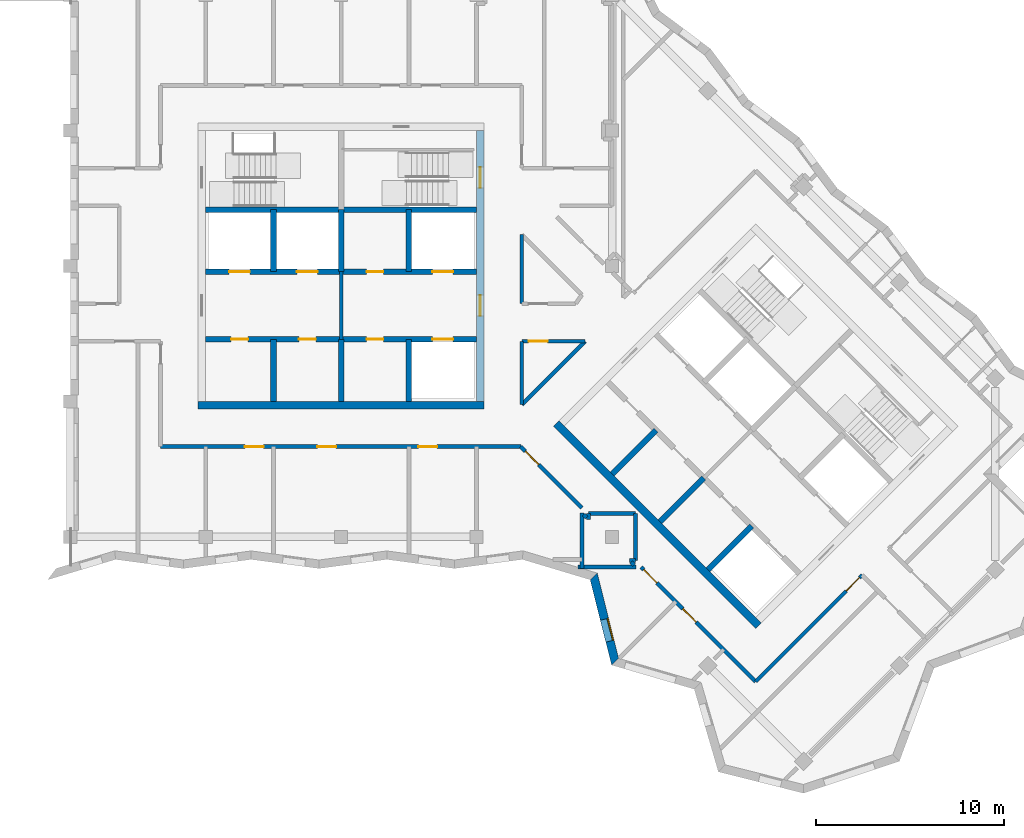
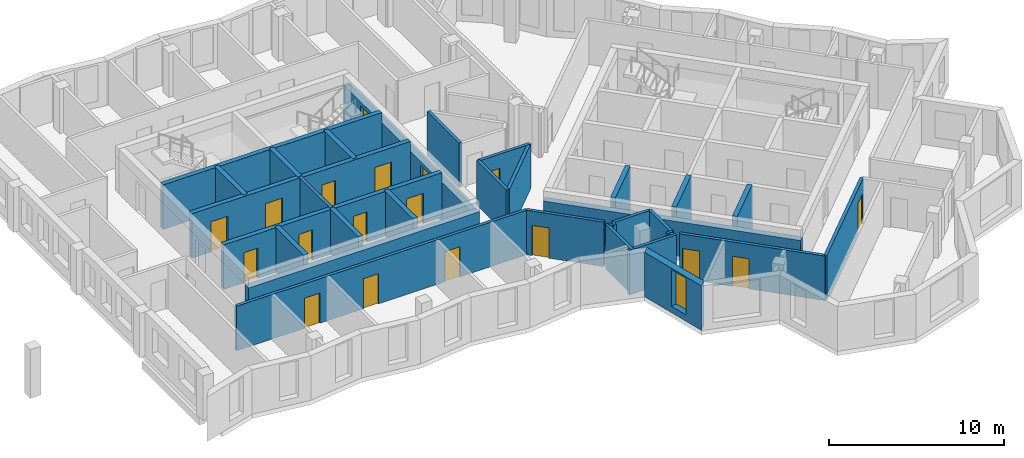
# One storey, part 3 of 13: 34 walls, 18 doors, 1 window, 19 openings.
"""IFC4 building model written with IfcOpenShell, lengths in metres."""

from ifc_helpers import new_model, si_unit, direction, frame, frame_2d, origin, place, context, subcontext, project, spatial, polyline, rectangle, outline, extrude, material, layer, layer_set, type_object, element, fill, save


model = new_model("IFC4")

# Units and contexts
model_context = context("Model", 3, precision=1e-05, world=origin(), true_north=direction((0.0, 1.0)))
body_context = subcontext(model_context, "Body", "Model", "MODEL_VIEW")
ifc_project = project(units=[si_unit("LENGTHUNIT", "METRE"), si_unit("AREAUNIT", "SQUARE_METRE"), si_unit("VOLUMEUNIT", "CUBIC_METRE"), si_unit("PLANEANGLEUNIT", "RADIAN"), si_unit("MASSUNIT", "GRAM", prefix="KILO")], contexts=[model_context])

# Site, building, storey
site_placement = place(None, origin())
site = spatial("IfcSite", under=ifc_project, at=site_placement, CompositionType="ELEMENT")
building_placement = place(site_placement, origin())
building = spatial("IfcBuilding", under=site, at=building_placement, Name="Windrow Commons", CompositionType="ELEMENT")
storey_placement = place(building_placement, frame((0.0, 0.0, 264.2)))
storey = spatial("IfcBuildingStorey", under=building, at=storey_placement, Name="L72", CompositionType="ELEMENT", Elevation=264.2)

# Wall, opening, window
ifc_material_1 = material(Name="Brick masonry, red clay brick", Category="masonry")
ifc_layer_1 = layer(ifc_material_1, 0.45)
ifc_layer_set_1 = layer_set([ifc_layer_1], Name="Brick facade wall 450")
wall_type_1 = type_object("IfcWallType", Name="Brick facade wall 450", PredefinedType="SOLIDWALL", material=ifc_layer_set_1)
wall_1_placement = place(storey_placement, frame((78.225, 41.0968, 0.0), z_axis=(0.0, 0.0, 1.0), x_axis=(0.2436835103, -0.9698548071, 0.0)))
wall_1 = element("IfcWall", 1, at=wall_1_placement, inside=storey, type_object=wall_type_1, Name="Brick facade wall L72 46", PredefinedType="SOLIDWALL", context=body_context, shape_type="SweptSolid", body=[
    extrude(outline(polyline([(0.1278, -0.225), (4.8019, -0.225), (4.5439, 0.225), (-0.1278, 0.225), (0.1278, -0.225)])), origin(), (0.0, 0.0, 1.0), 3.1),
])
opening_1_placement = place(wall_1_placement, frame((2.3436, 0.0, 0.45)))
opening_1 = element("IfcOpeningElement", 2, at=opening_1_placement, cuts=wall_1, Name="Opening W7F", PredefinedType="OPENING", context=body_context, shape_type="SweptSolid", body=[
    extrude(rectangle(XDim=1.2, YDim=2.55, at=frame_2d((0.6, 1.275))), frame((0.0, 0.235, 0.0), z_axis=(0.0, -1.0, 0.0), x_axis=(1.0, 0.0, 0.0)), (0.0, 0.0, 1.0), 0.47),
])
ifc_material_2 = material(Name="Clear float glass in anodised aluminium frame", Category="aluminium")
window_type = type_object("IfcWindowType", Name="Window W7 notch 1200x2550", PartitioningType="SINGLE_PANEL", PredefinedType="WINDOW", material=ifc_material_2)
window_placement = place(opening_1_placement, origin())
window = element("IfcWindow", 3, at=window_placement, inside=storey, type_object=window_type, Name="Window L72 46.1", OverallHeight=2.55, OverallWidth=1.2, PartitioningType="SINGLE_PANEL", PredefinedType="WINDOW", context=body_context, shape_type="SweptSolid", body=[
    extrude(rectangle(XDim=1.2, YDim=2.55, at=frame_2d((0.6, 1.275))), frame((0.0, 0.205, 0.0), z_axis=(0.0, -1.0, 0.0), x_axis=(1.0, 0.0, 0.0)), (0.0, 0.0, 1.0), 0.06),
])
fill(opening_1, window)

# Wall
ifc_material_3 = material(Name="Blockwork partition", Category="masonry")
ifc_layer_2 = layer(ifc_material_3, 0.2)
ifc_layer_set_2 = layer_set([ifc_layer_2], Name="Fire lobby partition 200")
wall_type_2 = type_object("IfcWallType", Name="Fire lobby partition 200", PredefinedType="PARTITIONING", material=ifc_layer_set_2)
wall_2_placement = place(storey_placement, frame((64.8, 53.7, 0.0), z_axis=(0.0, 0.0, 1.0), x_axis=(0.0, 1.0, 0.0)))
element("IfcWall", 4, at=wall_2_placement, inside=storey, type_object=wall_type_2, Name="W-core-lobby-A-L72", PredefinedType="PARTITIONING", context=body_context, shape_type="SweptSolid", body=[
    extrude(rectangle(XDim=3.6, YDim=0.2, at=frame_2d((1.8, 0.0))), origin(), (0.0, 0.0, 1.0), 3.1),
])

# Wall, openings, doors
ifc_material_4 = material(Name="Blockwork partition", Category="masonry")
ifc_layer_3 = layer(ifc_material_4, 0.2)
ifc_layer_set_3 = layer_set([ifc_layer_3], Name="IW-CORRIDOR-200")
wall_type_3 = type_object("IfcWallType", Name="IW-CORRIDOR-200", PredefinedType="PARTITIONING", material=ifc_layer_set_3)
wall_3_placement = place(storey_placement, frame((55.2, 48.0, 0.0), z_axis=(0.0, 0.0, 1.0), x_axis=(1.0, 0.0, 0.0)))
wall_3 = element("IfcWall", 5, at=wall_3_placement, inside=storey, type_object=wall_type_3, Name="W-L72-W001", PredefinedType="PARTITIONING", context=body_context, shape_type="SweptSolid", body=[
    extrude(rectangle(XDim=19.15, YDim=0.2, at=frame_2d((9.575, 0.0))), origin(), (0.0, 0.0, 1.0), 3.1),
])
opening_2_placement = place(wall_3_placement, frame((4.475, 0.0, 0.0)))
opening_2 = element("IfcOpeningElement", 6, at=opening_2_placement, cuts=wall_3, Name="Opening D310F", PredefinedType="OPENING", context=body_context, shape_type="SweptSolid", body=[
    extrude(rectangle(XDim=1.0, YDim=2.1, at=frame_2d((0.5, 1.05))), frame((0.0, 0.11, 0.0), z_axis=(0.0, -1.0, 0.0), x_axis=(1.0, 0.0, 0.0)), (0.0, 0.0, 1.0), 0.22),
])
opening_3_placement = place(wall_3_placement, frame((8.3375, 0.0, 0.0)))
opening_3 = element("IfcOpeningElement", 7, at=opening_3_placement, cuts=wall_3, Name="Opening D310F", PredefinedType="OPENING", context=body_context, shape_type="SweptSolid", body=[
    extrude(rectangle(XDim=1.0, YDim=2.1, at=frame_2d((0.5, 1.05))), frame((0.0, 0.11, 0.0), z_axis=(0.0, -1.0, 0.0), x_axis=(1.0, 0.0, 0.0)), (0.0, 0.0, 1.0), 0.22),
])
opening_4_placement = place(wall_3_placement, frame((13.7075, 0.0, 0.0)))
opening_4 = element("IfcOpeningElement", 8, at=opening_4_placement, cuts=wall_3, Name="Opening D310F", PredefinedType="OPENING", context=body_context, shape_type="SweptSolid", body=[
    extrude(rectangle(XDim=1.0, YDim=2.1, at=frame_2d((0.5, 1.05))), frame((0.0, 0.11, 0.0), z_axis=(0.0, -1.0, 0.0), x_axis=(1.0, 0.0, 0.0)), (0.0, 0.0, 1.0), 0.22),
])
ifc_material_5 = material(Name="Timber door leaf", Category="wood")
door_type_1 = type_object("IfcDoorType", Name="DT-AMENITY-1000", OperationType="SINGLE_SWING_LEFT", PredefinedType="DOOR", material=ifc_material_5)
door_1_placement = place(opening_2_placement, origin())
door_1 = element("IfcDoor", 9, at=door_1_placement, inside=storey, type_object=door_type_1, Name="D-L72-D002", OperationType="SINGLE_SWING_LEFT", OverallHeight=2.1, OverallWidth=1.0, PredefinedType="DOOR", context=body_context, shape_type="SweptSolid", body=[
    extrude(rectangle(XDim=1.0, YDim=2.1, at=frame_2d((0.5, 1.05))), frame((0.0, 0.025, 0.0), z_axis=(0.0, -1.0, 0.0), x_axis=(1.0, 0.0, 0.0)), (0.0, 0.0, 1.0), 0.05),
])
fill(opening_2, door_1)
door_2_placement = place(opening_3_placement, origin())
door_2 = element("IfcDoor", 10, at=door_2_placement, inside=storey, type_object=door_type_1, Name="D-L72-D003", OperationType="SINGLE_SWING_RIGHT", OverallHeight=2.1, OverallWidth=1.0, PredefinedType="DOOR", context=body_context, shape_type="SweptSolid", body=[
    extrude(rectangle(XDim=1.0, YDim=2.1, at=frame_2d((0.5, 1.05))), frame((0.0, 0.025, 0.0), z_axis=(0.0, -1.0, 0.0), x_axis=(1.0, 0.0, 0.0)), (0.0, 0.0, 1.0), 0.05),
])
fill(opening_3, door_2)
door_3_placement = place(opening_4_placement, origin())
door_3 = element("IfcDoor", 11, at=door_3_placement, inside=storey, type_object=door_type_1, Name="D-L72-D004", OperationType="SINGLE_SWING_RIGHT", OverallHeight=2.1, OverallWidth=1.0, PredefinedType="DOOR", context=body_context, shape_type="SweptSolid", body=[
    extrude(rectangle(XDim=1.0, YDim=2.1, at=frame_2d((0.5, 1.05))), frame((0.0, 0.025, 0.0), z_axis=(0.0, -1.0, 0.0), x_axis=(1.0, 0.0, 0.0)), (0.0, 0.0, 1.0), 0.05),
])
fill(opening_4, door_3)

wall_4_placement = place(storey_placement, frame((80.7468, 41.5968, 0.0), z_axis=(0.0, 0.0, 1.0), x_axis=(0.7071067812, -0.7071067812, 0.0)))
wall_4 = element("IfcWall", 12, at=wall_4_placement, inside=storey, type_object=wall_type_3, Name="W-L72-W010", PredefinedType="PARTITIONING", context=body_context, shape_type="SweptSolid", body=[
    extrude(rectangle(XDim=8.6069, YDim=0.2, at=frame_2d((4.3034, 0.0))), origin(), (0.0, 0.0, 1.0), 3.1),
])
opening_5_placement = place(wall_4_placement, frame((0.1948, 0.0, 0.0)))
opening_5 = element("IfcOpeningElement", 13, at=opening_5_placement, cuts=wall_4, Name="Opening D310F", PredefinedType="OPENING", context=body_context, shape_type="SweptSolid", body=[
    extrude(rectangle(XDim=1.0, YDim=2.1, at=frame_2d((0.5, 1.05))), frame((0.0, 0.11, 0.0), z_axis=(0.0, -1.0, 0.0), x_axis=(1.0, 0.0, 0.0)), (0.0, 0.0, 1.0), 0.22),
])
opening_6_placement = place(wall_4_placement, frame((3.1329, 0.0, 0.0)))
opening_6 = element("IfcOpeningElement", 14, at=opening_6_placement, cuts=wall_4, Name="Opening D410F", PredefinedType="OPENING", context=body_context, shape_type="SweptSolid", body=[
    extrude(rectangle(XDim=1.0, YDim=2.1, at=frame_2d((0.5, 1.05))), frame((0.0, 0.11, 0.0), z_axis=(0.0, -1.0, 0.0), x_axis=(1.0, 0.0, 0.0)), (0.0, 0.0, 1.0), 0.22),
])
door_4_placement = place(opening_5_placement, origin())
door_4 = element("IfcDoor", 15, at=door_4_placement, inside=storey, type_object=door_type_1, Name="D-L72-D024", OperationType="SINGLE_SWING_LEFT", OverallHeight=2.1, OverallWidth=1.0, PredefinedType="DOOR", context=body_context, shape_type="SweptSolid", body=[
    extrude(rectangle(XDim=1.0, YDim=2.1, at=frame_2d((0.5, 1.05))), frame((0.0, 0.025, 0.0), z_axis=(0.0, -1.0, 0.0), x_axis=(1.0, 0.0, 0.0)), (0.0, 0.0, 1.0), 0.05),
])
fill(opening_5, door_4)
ifc_material_6 = material(Name="Timber door leaf", Category="wood")
door_type_2 = type_object("IfcDoorType", Name="DT-SERVICE-1000", OperationType="SINGLE_SWING_LEFT", PredefinedType="DOOR", material=ifc_material_6)
door_5_placement = place(opening_6_placement, origin())
door_5 = element("IfcDoor", 16, at=door_5_placement, inside=storey, type_object=door_type_2, Name="D-L72-D025", OperationType="SINGLE_SWING_LEFT", OverallHeight=2.1, OverallWidth=1.0, PredefinedType="DOOR", context=body_context, shape_type="SweptSolid", body=[
    extrude(rectangle(XDim=1.0, YDim=2.1, at=frame_2d((0.5, 1.05))), frame((0.0, 0.025, 0.0), z_axis=(0.0, -1.0, 0.0), x_axis=(1.0, 0.0, 0.0)), (0.0, 0.0, 1.0), 0.05),
])
fill(opening_6, door_5)

# Wall, opening, door
wall_5_placement = place(storey_placement, frame((86.8359, 35.5141, 0.0), z_axis=(0.0, 0.0, 1.0), x_axis=(0.7071067812, 0.7071067812, 0.0)))
wall_5 = element("IfcWall", 17, at=wall_5_placement, inside=storey, type_object=wall_type_3, Name="W-L72-W011", PredefinedType="PARTITIONING", context=body_context, shape_type="SweptSolid", body=[
    extrude(rectangle(XDim=7.9988, YDim=0.2, at=frame_2d((3.9994, 0.0))), origin(), (0.0, 0.0, 1.0), 3.1),
])
opening_7_placement = place(wall_5_placement, frame((6.8067, 0.0, 0.0)))
opening_7 = element("IfcOpeningElement", 18, at=opening_7_placement, cuts=wall_5, Name="Opening D310F", PredefinedType="OPENING", context=body_context, shape_type="SweptSolid", body=[
    extrude(rectangle(XDim=1.0, YDim=2.1, at=frame_2d((0.5, 1.05))), frame((0.0, 0.11, 0.0), z_axis=(0.0, -1.0, 0.0), x_axis=(1.0, 0.0, 0.0)), (0.0, 0.0, 1.0), 0.22),
])
door_6_placement = place(opening_7_placement, origin())
door_6 = element("IfcDoor", 19, at=door_6_placement, inside=storey, type_object=door_type_1, Name="D-L72-D026", OperationType="SINGLE_SWING_RIGHT", OverallHeight=2.1, OverallWidth=1.0, PredefinedType="DOOR", context=body_context, shape_type="SweptSolid", body=[
    extrude(rectangle(XDim=1.0, YDim=2.1, at=frame_2d((0.5, 1.05))), frame((0.0, 0.025, 0.0), z_axis=(0.0, -1.0, 0.0), x_axis=(1.0, 0.0, 0.0)), (0.0, 0.0, 1.0), 0.05),
])
fill(opening_7, door_6)

# Wall
wall_6_placement = place(storey_placement, frame((74.4015, 50.2325, 0.0), z_axis=(0.0, 0.0, 1.0), x_axis=(0.7071067812, 0.7071067812, 0.0)))
element("IfcWall", 20, at=wall_6_placement, inside=storey, type_object=wall_type_3, Name="W-L72-W026", PredefinedType="PARTITIONING", context=body_context, shape_type="SweptSolid", body=[
    extrude(rectangle(XDim=4.7602, YDim=0.2, at=frame_2d((2.3801, 0.0))), origin(), (0.0, 0.0, 1.0), 3.1),
])

# Wall, opening, door
wall_7_placement = place(storey_placement, frame((74.3468, 47.9968, 0.0), z_axis=(0.0, 0.0, 1.0), x_axis=(0.7071067812, -0.7071067812, 0.0)))
wall_7 = element("IfcWall", 21, at=wall_7_placement, inside=storey, type_object=wall_type_3, Name="W-L72-W027", PredefinedType="PARTITIONING", context=body_context, shape_type="SweptSolid", body=[
    extrude(rectangle(XDim=4.5962, YDim=0.2, at=frame_2d((2.2981, 0.0))), origin(), (0.0, 0.0, 1.0), 3.1),
])
opening_8_placement = place(wall_7_placement, frame((0.3498, 0.0, 0.0)))
opening_8 = element("IfcOpeningElement", 22, at=opening_8_placement, cuts=wall_7, Name="Opening D310F", PredefinedType="OPENING", context=body_context, shape_type="SweptSolid", body=[
    extrude(rectangle(XDim=1.0, YDim=2.1, at=frame_2d((0.5, 1.05))), frame((0.0, 0.11, 0.0), z_axis=(0.0, -1.0, 0.0), x_axis=(1.0, 0.0, 0.0)), (0.0, 0.0, 1.0), 0.22),
])
door_7_placement = place(opening_8_placement, origin())
door_7 = element("IfcDoor", 23, at=door_7_placement, inside=storey, type_object=door_type_1, Name="D-L72-D005", OperationType="SINGLE_SWING_LEFT", OverallHeight=2.1, OverallWidth=1.0, PredefinedType="DOOR", context=body_context, shape_type="SweptSolid", body=[
    extrude(rectangle(XDim=1.0, YDim=2.1, at=frame_2d((0.5, 1.05))), frame((0.0, 0.025, 0.0), z_axis=(0.0, -1.0, 0.0), x_axis=(1.0, 0.0, 0.0)), (0.0, 0.0, 1.0), 0.05),
])
fill(opening_8, door_7)

# Walls
wall_8_placement = place(storey_placement, frame((74.4, 55.602, 0.0), z_axis=(0.0, 0.0, 1.0), x_axis=(0.0, 1.0, 0.0)))
element("IfcWall", 24, at=wall_8_placement, inside=storey, type_object=wall_type_3, Name="W-L72-W039", PredefinedType="PARTITIONING", context=body_context, shape_type="SweptSolid", body=[
    extrude(rectangle(XDim=3.66, YDim=0.2, at=frame_2d((1.83, 0.0))), origin(), (0.0, 0.0, 1.0), 3.1),
])
wall_9_placement = place(storey_placement, frame((74.4, 50.232, 0.0), z_axis=(0.0, 0.0, 1.0), x_axis=(0.0, 1.0, 0.0)))
element("IfcWall", 25, at=wall_9_placement, inside=storey, type_object=wall_type_3, Name="W-L72-W046", PredefinedType="PARTITIONING", context=body_context, shape_type="SweptSolid", body=[
    extrude(rectangle(XDim=3.368, YDim=0.2, at=frame_2d((1.684, 0.0))), origin(), (0.0, 0.0, 1.0), 3.1),
])

# Wall, opening, door
wall_10_placement = place(storey_placement, frame((74.402, 53.6, 0.0), z_axis=(0.0, 0.0, 1.0), x_axis=(1.0, 0.0, 0.0)))
wall_10 = element("IfcWall", 26, at=wall_10_placement, inside=storey, type_object=wall_type_3, Name="W-L72-W047", PredefinedType="PARTITIONING", context=body_context, shape_type="SweptSolid", body=[
    extrude(rectangle(XDim=3.366, YDim=0.2, at=frame_2d((1.683, 0.0))), origin(), (0.0, 0.0, 1.0), 3.1),
])
opening_9_placement = place(wall_10_placement, frame((0.3672, 0.0, 0.0)))
opening_9 = element("IfcOpeningElement", 27, at=opening_9_placement, cuts=wall_10, Name="Opening D310F", PredefinedType="OPENING", context=body_context, shape_type="SweptSolid", body=[
    extrude(rectangle(XDim=1.0, YDim=2.1, at=frame_2d((0.5, 1.05))), frame((0.0, 0.11, 0.0), z_axis=(0.0, -1.0, 0.0), x_axis=(1.0, 0.0, 0.0)), (0.0, 0.0, 1.0), 0.22),
])
door_8_placement = place(opening_9_placement, origin())
door_8 = element("IfcDoor", 28, at=door_8_placement, inside=storey, type_object=door_type_1, Name="D-L72-D006", OperationType="SINGLE_SWING_RIGHT", OverallHeight=2.1, OverallWidth=1.0, PredefinedType="DOOR", context=body_context, shape_type="SweptSolid", body=[
    extrude(rectangle(XDim=1.0, YDim=2.1, at=frame_2d((0.5, 1.05))), frame((0.0, 0.025, 0.0), z_axis=(0.0, -1.0, 0.0), x_axis=(1.0, 0.0, 0.0)), (0.0, 0.0, 1.0), 0.05),
])
fill(opening_9, door_8)

# Walls
for number, where, z_axis, x_axis, name in (
    (29, (80.45, 41.952, 0.0), (0.0, 0.0, 1.0), (0.0, 1.0, 0.0), "W-L72-W054"),
    (30, (77.952, 44.45, 0.0), (0.0, 0.0, 1.0), (1.0, 0.0, 0.0), "W-L72-W055"),
):
    element("IfcWall", number, at=place(storey_placement, frame(where, z_axis=z_axis, x_axis=x_axis)), inside=storey, type_object=wall_type_3, Name=name, PredefinedType="PARTITIONING", context=body_context, shape_type="SweptSolid", body=[
        extrude(rectangle(XDim=2.498, YDim=0.2, at=frame_2d((1.249, 0.0))), origin(), (0.0, 0.0, 1.0), 3.1),
    ])
for number, where, z_axis, x_axis, name in (
    (31, (80.2205, 41.8545, 0.0), (0.0, 0.0, 1.0), (0.7068844555, -0.707329037, 0.0), "W-L72-W097"),
    (32, (77.6954, 44.3795, 0.0), (0.0, 0.0, 1.0), (0.707329037, -0.7068844555, 0.0), "W-L72-W098"),
):
    element("IfcWall", number, at=place(storey_placement, frame(where, z_axis=z_axis, x_axis=x_axis)), inside=storey, type_object=wall_type_3, Name=name, PredefinedType="PARTITIONING", context=body_context, shape_type="SweptSolid", body=[
        extrude(rectangle(XDim=0.2249, YDim=0.2, at=frame_2d((0.1124, 0.0))), origin(), (0.0, 0.0, 1.0), 3.1),
    ])
for number, where, z_axis, x_axis, name in (
    (33, (80.118, 41.95, 0.0), (0.0, 0.0, 1.0), (1.0, 0.0, 0.0), "W-L72-W111"),
    (34, (77.95, 44.118, 0.0), (0.0, 0.0, 1.0), (0.0, 1.0, 0.0), "W-L72-W112"),
):
    element("IfcWall", number, at=place(storey_placement, frame(where, z_axis=z_axis, x_axis=x_axis)), inside=storey, type_object=wall_type_3, Name=name, PredefinedType="PARTITIONING", context=body_context, shape_type="SweptSolid", body=[
        extrude(rectangle(XDim=0.332, YDim=0.2, at=frame_2d((0.166, 0.0))), origin(), (0.0, 0.0, 1.0), 3.1),
    ])
ifc_material_7 = material(Name="Blockwork partition", Category="masonry")
ifc_layer_4 = layer(ifc_material_7, 0.2)
ifc_layer_set_4 = layer_set([ifc_layer_4], Name="IW-PARTY-200")
wall_type_4 = type_object("IfcWallType", Name="IW-PARTY-200", PredefinedType="PARTITIONING", material=ifc_layer_set_4)
wall_11_placement = place(storey_placement, frame((77.3811, 41.6, 0.0), z_axis=(0.0, 0.0, 1.0), x_axis=(1.0, 0.0, 0.0)))
element("IfcWall", 35, at=wall_11_placement, inside=storey, type_object=wall_type_4, Name="W-L72-W048", PredefinedType="PARTITIONING", context=body_context, shape_type="SweptSolid", body=[
    extrude(rectangle(XDim=3.0869, YDim=0.2, at=frame_2d((1.5434, 0.0))), origin(), (0.0, 0.0, 1.0), 3.1),
])
wall_12_placement = place(storey_placement, frame((77.6, 41.5193, 0.0), z_axis=(0.0, 0.0, 1.0), x_axis=(0.0, 1.0, 0.0)))
element("IfcWall", 36, at=wall_12_placement, inside=storey, type_object=wall_type_4, Name="W-L72-W049", PredefinedType="PARTITIONING", context=body_context, shape_type="SweptSolid", body=[
    extrude(rectangle(XDim=2.9487, YDim=0.2, at=frame_2d((1.4744, 0.0))), origin(), (0.0, 0.0, 1.0), 3.1),
])
ifc_material_8 = material(Name="Concrete C40/50", Category="concrete")
ifc_layer_5 = layer(ifc_material_8, 0.4)
ifc_layer_set_5 = layer_set([ifc_layer_5], Name="RC CORE WALL 400 C40/50")
wall_type_5 = type_object("IfcWallType", Name="RC CORE WALL 400 C40/50", PredefinedType="SHEAR", material=ifc_layer_set_5)
wall_13_placement = place(storey_placement, frame((57.2, 50.2, -0.3), z_axis=(0.0, 0.0, 1.0), x_axis=(1.0, 0.0, 0.0)))
element("IfcWall", 37, at=wall_13_placement, inside=storey, type_object=wall_type_5, Name="Core A wall outer-S", PredefinedType="SHEAR", context=body_context, shape_type="SweptSolid", body=[
    extrude(rectangle(XDim=15.2, YDim=0.4, at=frame_2d((7.6, 0.0))), origin(), (0.0, 0.0, 1.0), 2.7),
])

# Wall, openings, doors
wall_14_placement = place(storey_placement, frame((72.2, 50.4, -0.3), z_axis=(0.0, 0.0, 1.0), x_axis=(0.0, 1.0, 0.0)))
wall_14 = element("IfcWall", 38, at=wall_14_placement, inside=storey, type_object=wall_type_5, Name="Core A wall outer-E", PredefinedType="SHEAR", context=body_context, shape_type="SweptSolid", body=[
    extrude(rectangle(XDim=14.4, YDim=0.4, at=frame_2d((7.2, 0.0))), origin(), (0.0, 0.0, 1.0), 2.7),
])
opening_10_placement = place(wall_14_placement, frame((4.55, 0.0, 0.3)))
opening_10 = element("IfcOpeningElement", 39, at=opening_10_placement, cuts=wall_14, Name="Opening D6", PredefinedType="OPENING", context=body_context, shape_type="SweptSolid", body=[
    extrude(rectangle(XDim=1.1, YDim=2.1, at=frame_2d((0.55, 1.05))), frame((0.0, 0.21, 0.0), z_axis=(0.0, -1.0, 0.0), x_axis=(1.0, 0.0, 0.0)), (0.0, 0.0, 1.0), 0.42),
])
opening_11_placement = place(wall_14_placement, frame((11.35, 0.0, 0.3)))
opening_11 = element("IfcOpeningElement", 40, at=opening_11_placement, cuts=wall_14, Name="Opening D7", PredefinedType="OPENING", context=body_context, shape_type="SweptSolid", body=[
    extrude(rectangle(XDim=1.1, YDim=2.1, at=frame_2d((0.55, 1.05))), frame((0.0, 0.21, 0.0), z_axis=(0.0, -1.0, 0.0), x_axis=(1.0, 0.0, 0.0)), (0.0, 0.0, 1.0), 0.42),
])
ifc_material_9 = material(Name="Steel fire door leaf", Category="steel")
door_type_3 = type_object("IfcDoorType", Name="Core lobby door 1100", OperationType="SINGLE_SWING_LEFT", PredefinedType="DOOR", material=ifc_material_9)
door_9_placement = place(opening_10_placement, origin())
door_9 = element("IfcDoor", 41, at=door_9_placement, inside=storey, type_object=door_type_3, Name="Lift lobby door", OperationType="DOUBLE_DOOR_SINGLE_SWING", OverallHeight=2.1, OverallWidth=1.1, PredefinedType="DOOR", context=body_context, shape_type="SweptSolid", body=[
    extrude(rectangle(XDim=1.1, YDim=2.1, at=frame_2d((0.55, 1.05))), frame((0.0, 0.025, 0.0), z_axis=(0.0, -1.0, 0.0), x_axis=(1.0, 0.0, 0.0)), (0.0, 0.0, 1.0), 0.05),
])
fill(opening_10, door_9)
ifc_material_10 = material(Name="Steel fire door leaf", Category="steel")
door_type_4 = type_object("IfcDoorType", Name="Stair door 1100", OperationType="SINGLE_SWING_LEFT", PredefinedType="DOOR", material=ifc_material_10)
door_10_placement = place(opening_11_placement, origin())
door_10 = element("IfcDoor", 42, at=door_10_placement, inside=storey, type_object=door_type_4, Name="Stair door", OperationType="SINGLE_SWING_RIGHT", OverallHeight=2.1, OverallWidth=1.1, PredefinedType="DOOR", context=body_context, shape_type="SweptSolid", body=[
    extrude(rectangle(XDim=1.1, YDim=2.1, at=frame_2d((0.55, 1.05))), frame((0.0, 0.025, 0.0), z_axis=(0.0, -1.0, 0.0), x_axis=(1.0, 0.0, 0.0)), (0.0, 0.0, 1.0), 0.05),
])
fill(opening_11, door_10)

# Walls
wall_15_placement = place(storey_placement, frame((76.2302, 49.2312, -0.3), z_axis=(0.0, 0.0, 1.0), x_axis=(0.7071034917, -0.7071100706, 0.0)))
element("IfcWall", 43, at=wall_15_placement, inside=storey, type_object=wall_type_5, Name="Core B wall outer-S", PredefinedType="SHEAR", context=body_context, shape_type="SweptSolid", body=[
    extrude(rectangle(XDim=15.2, YDim=0.4, at=frame_2d((7.6, 0.0))), origin(), (0.0, 0.0, 1.0), 2.7),
])
ifc_material_11 = material(Name="Concrete C40/50", Category="concrete")
ifc_layer_6 = layer(ifc_material_11, 0.3)
ifc_layer_set_6 = layer_set([ifc_layer_6], Name="RC SHAFT WALL 300 C40/50")
wall_type_6 = type_object("IfcWallType", Name="RC SHAFT WALL 300 C40/50", PredefinedType="SOLIDWALL", material=ifc_layer_set_6)
for number, where, z_axis, x_axis, name in (
    (44, (61.2, 50.4, 0.0), (0.0, 0.0, 1.0), (0.0, 1.0, 0.0), "Core A wall shaft-S1"),
    (45, (61.2, 57.3, 0.0), (0.0, 0.0, 1.0), (0.0, 1.0, 0.0), "Core A wall shaft-N1"),
    (46, (64.8, 50.4, 0.0), (0.0, 0.0, 1.0), (0.0, 1.0, 0.0), "Core A wall shaft-S2"),
    (47, (64.8, 57.3, 0.0), (0.0, 0.0, 1.0), (0.0, 1.0, 0.0), "Core A wall shaft-N2"),
    (48, (68.4, 50.4, 0.0), (0.0, 0.0, 1.0), (0.0, 1.0, 0.0), "Core A wall shaft-S3"),
    (49, (68.4, 57.3, 0.0), (0.0, 0.0, 1.0), (0.0, 1.0, 0.0), "Core A wall shaft-N3"),
):
    element("IfcWall", number, at=place(storey_placement, frame(where, z_axis=z_axis, x_axis=x_axis)), inside=storey, type_object=wall_type_6, Name=name, PredefinedType="SOLIDWALL", context=body_context, shape_type="SweptSolid", body=[
        extrude(rectangle(XDim=3.3, YDim=0.3, at=frame_2d((1.65, 0.0))), origin(), (0.0, 0.0, 1.0), 3.1),
    ])

# Wall, openings, doors
wall_16_placement = place(storey_placement, frame((57.6, 53.7, 0.0), z_axis=(0.0, 0.0, 1.0), x_axis=(1.0, 0.0, 0.0)))
wall_16 = element("IfcWall", 50, at=wall_16_placement, inside=storey, type_object=wall_type_6, Name="Core A wall lobby-S", PredefinedType="SOLIDWALL", context=body_context, shape_type="SweptSolid", body=[
    extrude(rectangle(XDim=14.4, YDim=0.3, at=frame_2d((7.2, 0.0))), origin(), (0.0, 0.0, 1.0), 3.1),
])
opening_12_placement = place(wall_16_placement, frame((1.35, 0.0, 0.0)))
opening_12 = element("IfcOpeningElement", 51, at=opening_12_placement, cuts=wall_16, Name="Opening D8", PredefinedType="OPENING", context=body_context, shape_type="SweptSolid", body=[
    extrude(rectangle(XDim=0.9, YDim=2.1, at=frame_2d((0.45, 1.05))), frame((0.0, 0.16, 0.0), z_axis=(0.0, -1.0, 0.0), x_axis=(1.0, 0.0, 0.0)), (0.0, 0.0, 1.0), 0.32),
])
opening_13_placement = place(wall_16_placement, frame((4.95, 0.0, 0.0)))
opening_13 = element("IfcOpeningElement", 52, at=opening_13_placement, cuts=wall_16, Name="Opening D8", PredefinedType="OPENING", context=body_context, shape_type="SweptSolid", body=[
    extrude(rectangle(XDim=0.9, YDim=2.1, at=frame_2d((0.45, 1.05))), frame((0.0, 0.16, 0.0), z_axis=(0.0, -1.0, 0.0), x_axis=(1.0, 0.0, 0.0)), (0.0, 0.0, 1.0), 0.32),
])
opening_14_placement = place(wall_16_placement, frame((8.55, 0.0, 0.0)))
opening_14 = element("IfcOpeningElement", 53, at=opening_14_placement, cuts=wall_16, Name="Opening D8", PredefinedType="OPENING", context=body_context, shape_type="SweptSolid", body=[
    extrude(rectangle(XDim=0.9, YDim=2.1, at=frame_2d((0.45, 1.05))), frame((0.0, 0.16, 0.0), z_axis=(0.0, -1.0, 0.0), x_axis=(1.0, 0.0, 0.0)), (0.0, 0.0, 1.0), 0.32),
])
opening_15_placement = place(wall_16_placement, frame((12.05, 0.0, 0.0)))
opening_15 = element("IfcOpeningElement", 54, at=opening_15_placement, cuts=wall_16, Name="Opening LD", PredefinedType="OPENING", context=body_context, shape_type="SweptSolid", body=[
    extrude(rectangle(XDim=1.1, YDim=2.1, at=frame_2d((0.55, 1.05))), frame((0.0, 0.16, 0.0), z_axis=(0.0, -1.0, 0.0), x_axis=(1.0, 0.0, 0.0)), (0.0, 0.0, 1.0), 0.32),
])
ifc_material_12 = material(Name="Steel fire door leaf", Category="steel")
door_type_5 = type_object("IfcDoorType", Name="Core store door 900", OperationType="SINGLE_SWING_LEFT", PredefinedType="DOOR", material=ifc_material_12)
door_11_placement = place(opening_12_placement, origin())
door_11 = element("IfcDoor", 55, at=door_11_placement, inside=storey, type_object=door_type_5, Name="Store door", OperationType="SINGLE_SWING_LEFT", OverallHeight=2.1, OverallWidth=0.9, PredefinedType="DOOR", context=body_context, shape_type="SweptSolid", body=[
    extrude(rectangle(XDim=0.9, YDim=2.1, at=frame_2d((0.45, 1.05))), frame((0.0, 0.025, 0.0), z_axis=(0.0, -1.0, 0.0), x_axis=(1.0, 0.0, 0.0)), (0.0, 0.0, 1.0), 0.05),
])
fill(opening_12, door_11)
door_12_placement = place(opening_13_placement, origin())
door_12 = element("IfcDoor", 56, at=door_12_placement, inside=storey, type_object=door_type_5, Name="Store door", OperationType="SINGLE_SWING_LEFT", OverallHeight=2.1, OverallWidth=0.9, PredefinedType="DOOR", context=body_context, shape_type="SweptSolid", body=[
    extrude(rectangle(XDim=0.9, YDim=2.1, at=frame_2d((0.45, 1.05))), frame((0.0, 0.025, 0.0), z_axis=(0.0, -1.0, 0.0), x_axis=(1.0, 0.0, 0.0)), (0.0, 0.0, 1.0), 0.05),
])
fill(opening_13, door_12)
door_13_placement = place(opening_14_placement, origin())
door_13 = element("IfcDoor", 57, at=door_13_placement, inside=storey, type_object=door_type_5, Name="Store door", OperationType="SINGLE_SWING_LEFT", OverallHeight=2.1, OverallWidth=0.9, PredefinedType="DOOR", context=body_context, shape_type="SweptSolid", body=[
    extrude(rectangle(XDim=0.9, YDim=2.1, at=frame_2d((0.45, 1.05))), frame((0.0, 0.025, 0.0), z_axis=(0.0, -1.0, 0.0), x_axis=(1.0, 0.0, 0.0)), (0.0, 0.0, 1.0), 0.05),
])
fill(opening_14, door_13)
ifc_material_13 = material(Name="Stainless steel door leaf", Category="steel")
door_type_6 = type_object("IfcDoorType", Name="Lift landing door 1100", OperationType="SLIDING_TO_LEFT", PredefinedType="DOOR", material=ifc_material_13)
door_14_placement = place(opening_15_placement, origin())
door_14 = element("IfcDoor", 58, at=door_14_placement, inside=storey, type_object=door_type_6, Name="Lift landing door", OperationType="SLIDING_TO_RIGHT", OverallHeight=2.1, OverallWidth=1.1, PredefinedType="DOOR", context=body_context, shape_type="SweptSolid", body=[
    extrude(rectangle(XDim=1.1, YDim=2.1, at=frame_2d((0.55, 1.05))), frame((0.0, 0.025, 0.0), z_axis=(0.0, -1.0, 0.0), x_axis=(1.0, 0.0, 0.0)), (0.0, 0.0, 1.0), 0.05),
])
fill(opening_15, door_14)

wall_17_placement = place(storey_placement, frame((57.6, 57.3, 0.0), z_axis=(0.0, 0.0, 1.0), x_axis=(1.0, 0.0, 0.0)))
wall_17 = element("IfcWall", 59, at=wall_17_placement, inside=storey, type_object=wall_type_6, Name="Core A wall lobby-N", PredefinedType="SOLIDWALL", context=body_context, shape_type="SweptSolid", body=[
    extrude(rectangle(XDim=14.4, YDim=0.3, at=frame_2d((7.2, 0.0))), origin(), (0.0, 0.0, 1.0), 3.1),
])
opening_16_placement = place(wall_17_placement, frame((8.55, 0.0, 0.0)))
opening_16 = element("IfcOpeningElement", 60, at=opening_16_placement, cuts=wall_17, Name="Opening D8", PredefinedType="OPENING", context=body_context, shape_type="SweptSolid", body=[
    extrude(rectangle(XDim=0.9, YDim=2.1, at=frame_2d((0.45, 1.05))), frame((0.0, 0.16, 0.0), z_axis=(0.0, -1.0, 0.0), x_axis=(1.0, 0.0, 0.0)), (0.0, 0.0, 1.0), 0.32),
])
opening_17_placement = place(wall_17_placement, frame((1.25, 0.0, 0.0)))
opening_17 = element("IfcOpeningElement", 61, at=opening_17_placement, cuts=wall_17, Name="Opening LD", PredefinedType="OPENING", context=body_context, shape_type="SweptSolid", body=[
    extrude(rectangle(XDim=1.1, YDim=2.1, at=frame_2d((0.55, 1.05))), frame((0.0, 0.16, 0.0), z_axis=(0.0, -1.0, 0.0), x_axis=(1.0, 0.0, 0.0)), (0.0, 0.0, 1.0), 0.32),
])
opening_18_placement = place(wall_17_placement, frame((4.85, 0.0, 0.0)))
opening_18 = element("IfcOpeningElement", 62, at=opening_18_placement, cuts=wall_17, Name="Opening LD", PredefinedType="OPENING", context=body_context, shape_type="SweptSolid", body=[
    extrude(rectangle(XDim=1.1, YDim=2.1, at=frame_2d((0.55, 1.05))), frame((0.0, 0.16, 0.0), z_axis=(0.0, -1.0, 0.0), x_axis=(1.0, 0.0, 0.0)), (0.0, 0.0, 1.0), 0.32),
])
opening_19_placement = place(wall_17_placement, frame((12.05, 0.0, 0.0)))
opening_19 = element("IfcOpeningElement", 63, at=opening_19_placement, cuts=wall_17, Name="Opening LD", PredefinedType="OPENING", context=body_context, shape_type="SweptSolid", body=[
    extrude(rectangle(XDim=1.1, YDim=2.1, at=frame_2d((0.55, 1.05))), frame((0.0, 0.16, 0.0), z_axis=(0.0, -1.0, 0.0), x_axis=(1.0, 0.0, 0.0)), (0.0, 0.0, 1.0), 0.32),
])
door_15_placement = place(opening_16_placement, origin())
door_15 = element("IfcDoor", 64, at=door_15_placement, inside=storey, type_object=door_type_5, Name="Store door", OperationType="SINGLE_SWING_LEFT", OverallHeight=2.1, OverallWidth=0.9, PredefinedType="DOOR", context=body_context, shape_type="SweptSolid", body=[
    extrude(rectangle(XDim=0.9, YDim=2.1, at=frame_2d((0.45, 1.05))), frame((0.0, 0.025, 0.0), z_axis=(0.0, -1.0, 0.0), x_axis=(1.0, 0.0, 0.0)), (0.0, 0.0, 1.0), 0.05),
])
fill(opening_16, door_15)
door_16_placement = place(opening_17_placement, origin())
door_16 = element("IfcDoor", 65, at=door_16_placement, inside=storey, type_object=door_type_6, Name="Lift landing door", OperationType="SLIDING_TO_LEFT", OverallHeight=2.1, OverallWidth=1.1, PredefinedType="DOOR", context=body_context, shape_type="SweptSolid", body=[
    extrude(rectangle(XDim=1.1, YDim=2.1, at=frame_2d((0.55, 1.05))), frame((0.0, 0.025, 0.0), z_axis=(0.0, -1.0, 0.0), x_axis=(1.0, 0.0, 0.0)), (0.0, 0.0, 1.0), 0.05),
])
fill(opening_17, door_16)
door_17_placement = place(opening_18_placement, origin())
door_17 = element("IfcDoor", 66, at=door_17_placement, inside=storey, type_object=door_type_6, Name="Lift landing door", OperationType="SLIDING_TO_RIGHT", OverallHeight=2.1, OverallWidth=1.1, PredefinedType="DOOR", context=body_context, shape_type="SweptSolid", body=[
    extrude(rectangle(XDim=1.1, YDim=2.1, at=frame_2d((0.55, 1.05))), frame((0.0, 0.025, 0.0), z_axis=(0.0, -1.0, 0.0), x_axis=(1.0, 0.0, 0.0)), (0.0, 0.0, 1.0), 0.05),
])
fill(opening_18, door_17)
door_18_placement = place(opening_19_placement, origin())
door_18 = element("IfcDoor", 67, at=door_18_placement, inside=storey, type_object=door_type_6, Name="Lift landing door", OperationType="SLIDING_TO_RIGHT", OverallHeight=2.1, OverallWidth=1.1, PredefinedType="DOOR", context=body_context, shape_type="SweptSolid", body=[
    extrude(rectangle(XDim=1.1, YDim=2.1, at=frame_2d((0.55, 1.05))), frame((0.0, 0.025, 0.0), z_axis=(0.0, -1.0, 0.0), x_axis=(1.0, 0.0, 0.0)), (0.0, 0.0, 1.0), 0.05),
])
fill(opening_19, door_18)

# Walls
for number, where, z_axis, x_axis, name in (
    (68, (57.6, 60.6, 0.0), (0.0, 0.0, 1.0), (1.0, 0.0, 0.0), "Core A wall stair-S"),
    (69, (64.8, 60.6, 0.0), (0.0, 0.0, 1.0), (1.0, 0.0, 0.0), "Core A wall stair-S2"),
):
    element("IfcWall", number, at=place(storey_placement, frame(where, z_axis=z_axis, x_axis=x_axis)), inside=storey, type_object=wall_type_6, Name=name, PredefinedType="SOLIDWALL", context=body_context, shape_type="SweptSolid", body=[
        extrude(rectangle(XDim=7.2, YDim=0.3, at=frame_2d((3.6, 0.0))), origin(), (0.0, 0.0, 1.0), 3.1),
    ])
wall_18_placement = place(storey_placement, frame((79.2, 46.5442, 0.0), z_axis=(0.0, 0.0, 1.0), x_axis=(0.7071219326, 0.7070916295, 0.0)))
element("IfcWall", 70, at=wall_18_placement, inside=storey, type_object=wall_type_6, Name="Core B wall shaft-S1", PredefinedType="SOLIDWALL", context=body_context, shape_type="SweptSolid", body=[
    extrude(rectangle(XDim=3.3, YDim=0.3, at=frame_2d((1.65, 0.0))), origin(), (0.0, 0.0, 1.0), 3.1),
])
for number, where, z_axis, x_axis, name in (
    (71, (81.7456, 43.9986, 0.0), (0.0, 0.0, 1.0), (0.7071067812, 0.7071067812, 0.0), "Core B wall shaft-S2"),
    (72, (84.2912, 41.453, 0.0), (0.0, 0.0, 1.0), (0.7071067812, 0.7071067812, 0.0), "Core B wall shaft-S3"),
):
    element("IfcWall", number, at=place(storey_placement, frame(where, z_axis=z_axis, x_axis=x_axis)), inside=storey, type_object=wall_type_6, Name=name, PredefinedType="SOLIDWALL", context=body_context, shape_type="SweptSolid", body=[
        extrude(rectangle(XDim=3.2999, YDim=0.3, at=frame_2d((1.65, 0.0))), origin(), (0.0, 0.0, 1.0), 3.1),
    ])

save(model, "model.ifc")
